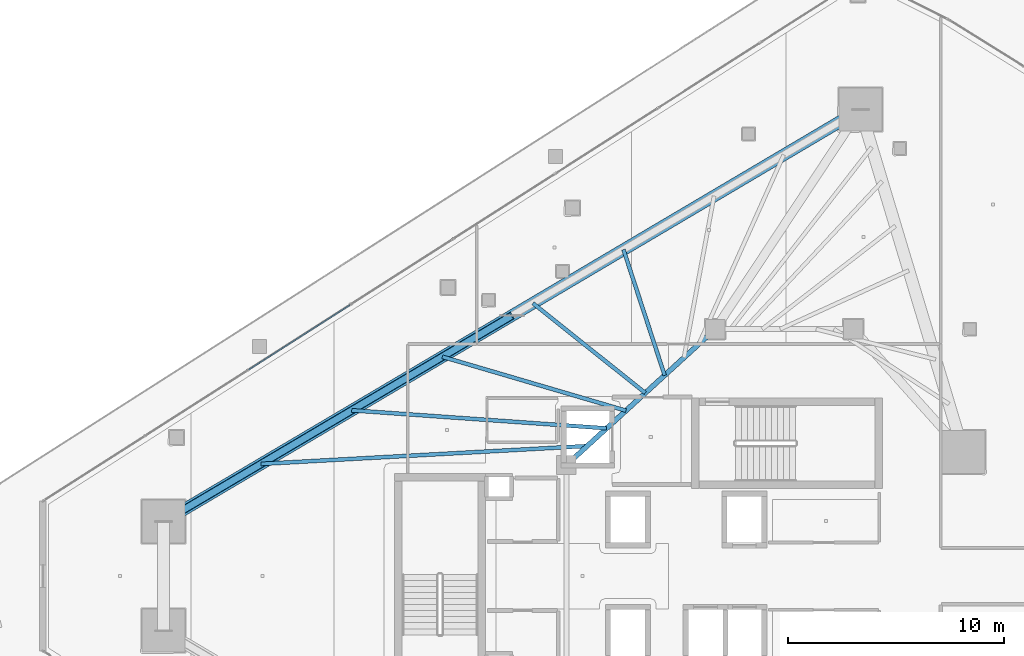
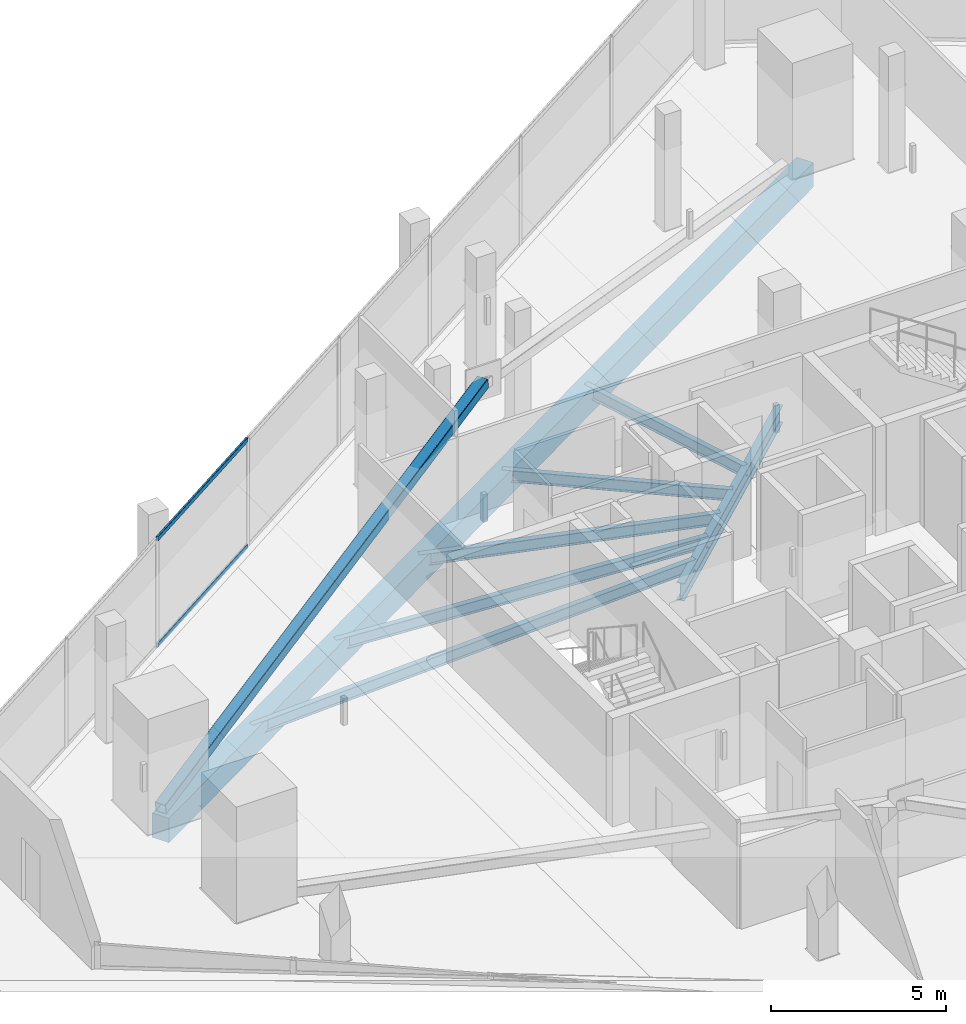
# One storey, part 16 of 39: 7 beams, 3 members, 1 element without a shape of its own.
"""IFC4 building model written with IfcOpenShell, lengths in metres."""

from ifc_helpers import new_model, si_unit, direction, frame, origin, origin_2d, place, context, subcontext, project, spatial, rectangle, hollow_rectangle, i_section, extrude, material, layer, layer_set, material_profile, profile_set, type_object, element, aggregate, save


model = new_model("IFC4")

# Units and contexts
model_context = context("Model", 3, precision=1e-05, world=origin(), true_north=direction((0.0, 1.0)))
body_context = subcontext(model_context, "Body", "Model", "MODEL_VIEW")
ifc_project = project(units=[si_unit("LENGTHUNIT", "METRE"), si_unit("AREAUNIT", "SQUARE_METRE"), si_unit("VOLUMEUNIT", "CUBIC_METRE"), si_unit("PLANEANGLEUNIT", "RADIAN"), si_unit("MASSUNIT", "GRAM", prefix="KILO")], contexts=[model_context])

# Site, building, storey
site_placement = place(None, origin())
site = spatial("IfcSite", under=ifc_project, at=site_placement, CompositionType="ELEMENT")
building_placement = place(site_placement, origin())
building = spatial("IfcBuilding", under=site, at=building_placement, Name="Qorvath Tower", CompositionType="ELEMENT")
storey_placement = place(building_placement, frame((0.0, 0.0, 201.0)))
storey = spatial("IfcBuildingStorey", under=building, at=storey_placement, Name="L46", CompositionType="ELEMENT", Elevation=201.0)

# Beams
ifc_material_1 = material(Name="Steel ASTM A992 Grade 50", Category="steel")
ifc_material_profile_1 = material_profile(ifc_material_1, i_section(OverallWidth=0.22998046875, OverallDepth=0.616943359375, WebThickness=0.01318359375, FlangeThickness=0.022216796875, FilletRadius=0.014892578125, at=origin_2d()), Name="W24x94")
ifc_profile_set_1 = profile_set([ifc_material_profile_1], Name="Steel ASTM A992 Grade 50")
beam_type_1 = type_object("IfcBeamType", Name="BM-FG6", PredefinedType="BEAM", material=ifc_profile_set_1)
beam_1_placement = place(storey_placement, frame((-30.5, 5.14990234375, -0.57861328125), z_axis=(0.73847813985, 0.6742774184, 0.0), x_axis=(-0.6742774184, 0.73847813985, 0.0)))
element("IfcBeam", 1, at=beam_1_placement, inside=storey, type_object=beam_type_1, Name="Core Ring Girder CC5-CC1 L46", PredefinedType="BEAM", context=body_context, shape_type="SweptSolid", body=[
    extrude(i_section(OverallWidth=0.22998046875, OverallDepth=0.616943359375, WebThickness=0.01318359375, FlangeThickness=0.022216796875, FilletRadius=0.014892578125, at=origin_2d()), origin(), (0.0, 0.0, 1.0), 9.343505859375),
])
ifc_material_2 = material(Name="Steel ASTM A992 Grade 50", Category="steel")
ifc_material_profile_2 = material_profile(ifc_material_2, i_section(OverallWidth=0.177978515625, OverallDepth=0.406005859375, WebThickness=0.0078125, FlangeThickness=0.0126953125, FilletRadius=0.010986328125, at=origin_2d()), Name="W16x40")
ifc_profile_set_2 = profile_set([ifc_material_profile_2], Name="Steel ASTM A992 Grade 50")
beam_type_2 = type_object("IfcBeamType", Name="BM-FJ3", PredefinedType="JOIST", material=ifc_profile_set_2)
beam_2_placement = place(storey_placement, frame((-29.533935546875, 6.031982421875, -0.472900390625), z_axis=(-0.998494745044, -0.054847462293, 0.0), x_axis=(0.054847462293, -0.998494745044, 0.0)))
element("IfcBeam", 2, at=beam_2_placement, inside=storey, type_object=beam_type_2, Name="Composite Floor Joist NW1 L46", PredefinedType="JOIST", context=body_context, shape_type="SweptSolid", body=[
    extrude(i_section(OverallWidth=0.177978515625, OverallDepth=0.406005859375, WebThickness=0.0078125, FlangeThickness=0.0126953125, FilletRadius=0.010986328125, at=origin_2d()), origin(), (0.0, 0.0, 1.0), 15.138671875),
])
beam_3_placement = place(storey_placement, frame((-28.636962890625, 6.85107421875, -0.472900390625), z_axis=(-0.997520476731, 0.070376832146, 0.0), x_axis=(-0.070376832146, -0.997520476731, 0.0)))
element("IfcBeam", 3, at=beam_3_placement, inside=storey, type_object=beam_type_2, Name="Composite Floor Joist NW2 L46", PredefinedType="JOIST", context=body_context, shape_type="SweptSolid", body=[
    extrude(i_section(OverallWidth=0.177978515625, OverallDepth=0.406005859375, WebThickness=0.0078125, FlangeThickness=0.0126953125, FilletRadius=0.010986328125, at=origin_2d()), origin(), (0.0, 0.0, 1.0), 11.84326171875),
])
beam_4_placement = place(storey_placement, frame((-27.739990234375, 7.669921875, -0.472900390625), z_axis=(-0.959544992264, 0.281555337049, 0.0), x_axis=(-0.281555337049, -0.959544992264, 0.0)))
element("IfcBeam", 4, at=beam_4_placement, inside=storey, type_object=beam_type_2, Name="Composite Floor Joist NW3 L46", PredefinedType="JOIST", context=body_context, shape_type="SweptSolid", body=[
    extrude(i_section(OverallWidth=0.177978515625, OverallDepth=0.406005859375, WebThickness=0.0078125, FlangeThickness=0.0126953125, FilletRadius=0.010986328125, at=origin_2d()), origin(), (0.0, 0.0, 1.0), 8.87060546875),
])
beam_5_placement = place(storey_placement, frame((-26.843017578125, 8.489013671875, -0.472900390625), z_axis=(-0.781336553339, 0.624109918537, 0.0), x_axis=(-0.624109918537, -0.781336553339, 0.0)))
element("IfcBeam", 5, at=beam_5_placement, inside=storey, type_object=beam_type_2, Name="Composite Floor Joist NW4 L46", PredefinedType="JOIST", context=body_context, shape_type="SweptSolid", body=[
    extrude(i_section(OverallWidth=0.177978515625, OverallDepth=0.406005859375, WebThickness=0.0078125, FlangeThickness=0.0126953125, FilletRadius=0.010986328125, at=origin_2d()), origin(), (0.0, 0.0, 1.0), 6.667724609375),
])
beam_6_placement = place(storey_placement, frame((-25.946044921875, 9.30810546875, -0.472900390625), z_axis=(-0.311228747452, 0.950335028692, 0.0), x_axis=(-0.950335028692, -0.311228747452, 0.0)))
element("IfcBeam", 6, at=beam_6_placement, inside=storey, type_object=beam_type_2, Name="Composite Floor Joist NW5 L46", PredefinedType="JOIST", context=body_context, shape_type="SweptSolid", body=[
    extrude(i_section(OverallWidth=0.177978515625, OverallDepth=0.406005859375, WebThickness=0.0078125, FlangeThickness=0.0126953125, FilletRadius=0.010986328125, at=origin_2d()), origin(), (0.0, 0.0, 1.0), 6.129638671875),
])
ifc_material_3 = material(Name="Concrete C50/60", Category="concrete")
ifc_material_profile_3 = material_profile(ifc_material_3, rectangle(XDim=0.550048828125, YDim=0.85009765625, at=origin_2d()), Name="RCB 850x550")
ifc_profile_set_3 = profile_set([ifc_material_profile_3], Name="Concrete C50/60")
beam_type_3 = type_object("IfcBeamType", Name="BM-RCB2", PredefinedType="SPANDREL", material=ifc_profile_set_3)
beam_7_placement = place(storey_placement, frame((-16.87158203125, 21.627197265625, -0.695068359375), z_axis=(-0.860776759786, -0.50898268125, 0.0), x_axis=(0.50898268125, -0.860776759786, 0.0)))
element("IfcBeam", 7, at=beam_7_placement, inside=storey, type_object=beam_type_3, Name="Perimeter Loggia Frame Beam MC6-MC1 L46", PredefinedType="SPANDREL", context=body_context, shape_type="SweptSolid", body=[
    extrude(rectangle(XDim=0.550048828125, YDim=0.85009765625, at=origin_2d()), origin(), (0.0, 0.0, 1.0), 37.524658203125),
])

# Curtain wall, members
ifc_material_4 = material(Name="Anodised aluminium and triple low-E glass", Category="aluminium")
ifc_layer = layer(ifc_material_4, 0.179931640625)
ifc_layer_set = layer_set([ifc_layer], Name="CW-SYS-3")
curtain_wall_type = type_object("IfcCurtainWallType", Name="CW-SYS-3", PredefinedType="NOTDEFINED", material=ifc_layer_set)
curtain_wall_placement = place(storey_placement, origin())
curtain_wall = element("IfcCurtainWall", 8, at=curtain_wall_placement, inside=storey, type_object=curtain_wall_type, Name="Curtain Wall CW-3 CW-T-L46-16.1", PredefinedType="NOTDEFINED")
ifc_material_5 = material(Name="Anodised aluminium 6063-T6", Category="aluminium")
ifc_material_profile_4 = material_profile(ifc_material_5, hollow_rectangle(XDim=0.06494140625, YDim=0.159912109375, WallThickness=0.00341796875, InnerFilletRadius=0.00341796875, OuterFilletRadius=0.007080078125, at=origin_2d()), Name="CWT 160x65")
ifc_profile_set_4 = profile_set([ifc_material_profile_4], Name="Anodised aluminium 6063-T6")
member_type_1 = type_object("IfcMemberType", Name="CWT-160", PredefinedType="USERDEFINED", material=ifc_profile_set_4)
member_1_placement = place(storey_placement, frame((-40.53271484375, 12.566162109375, 0.032470703125), z_axis=(-0.842606844645, -0.538529205667, 0.0), x_axis=(0.538529205667, -0.842606844645, 0.0)))
member_1 = element("IfcMember", 9, at=member_1_placement, type_object=member_type_1, Name="CW-3 transom 6.1", ObjectType="TRANSOM", PredefinedType="USERDEFINED", context=body_context, shape_type="SweptSolid", body=[
    extrude(hollow_rectangle(XDim=0.06494140625, YDim=0.159912109375, WallThickness=0.00341796875, InnerFilletRadius=0.00341796875, OuterFilletRadius=0.007080078125, at=origin_2d()), origin(), (0.0, 0.0, 1.0), 5.5751953125),
])
member_2_placement = place(storey_placement, frame((-40.53271484375, 12.566162109375, 3.74755859375), z_axis=(-0.842606844645, -0.538529205667, 0.0), x_axis=(0.538529205667, -0.842606844645, 0.0)))
member_2 = element("IfcMember", 10, at=member_2_placement, type_object=member_type_1, Name="CW-3 transom 6.2", ObjectType="TRANSOM", PredefinedType="USERDEFINED", context=body_context, shape_type="SweptSolid", body=[
    extrude(hollow_rectangle(XDim=0.06494140625, YDim=0.159912109375, WallThickness=0.00341796875, InnerFilletRadius=0.00341796875, OuterFilletRadius=0.007080078125, at=origin_2d()), origin(), (0.0, 0.0, 1.0), 5.5751953125),
])
aggregate(curtain_wall, [member_1, member_2])

# Member
ifc_material_6 = material(Name="Steel ASTM A500 Grade C", Category="steel")
ifc_material_profile_5 = material_profile(ifc_material_6, hollow_rectangle(XDim=0.355712890625, YDim=0.355712890625, WallThickness=0.015869140625, InnerFilletRadius=0.015869140625, OuterFilletRadius=0.03173828125, at=origin_2d()), Name="HSS 356x356x16")
ifc_profile_set_5 = profile_set([ifc_material_profile_5], Name="Steel ASTM A500 Grade C")
member_type_2 = type_object("IfcMemberType", Name="MEM-MB2", PredefinedType="BRACE", material=ifc_profile_set_5)
member_3_placement = place(storey_placement, frame((-49.171875, 2.52783203125, 0.0), z_axis=(0.846746895049, 0.500680334384, 0.179830193475), x_axis=(-0.508977860581, 0.860779610259, 0.0)))
element("IfcMember", 11, at=member_3_placement, inside=storey, type_object=member_type_2, Name="Perimeter Chevron Brace L46-1B", PredefinedType="BRACE", context=body_context, shape_type="SweptSolid", body=[
    extrude(hollow_rectangle(XDim=0.355712890625, YDim=0.355712890625, WallThickness=0.015869140625, InnerFilletRadius=0.015869140625, OuterFilletRadius=0.03173828125, at=origin_2d()), origin(), (0.0, 0.0, 1.0), 19.0732421875),
])

save(model, "model.ifc")
